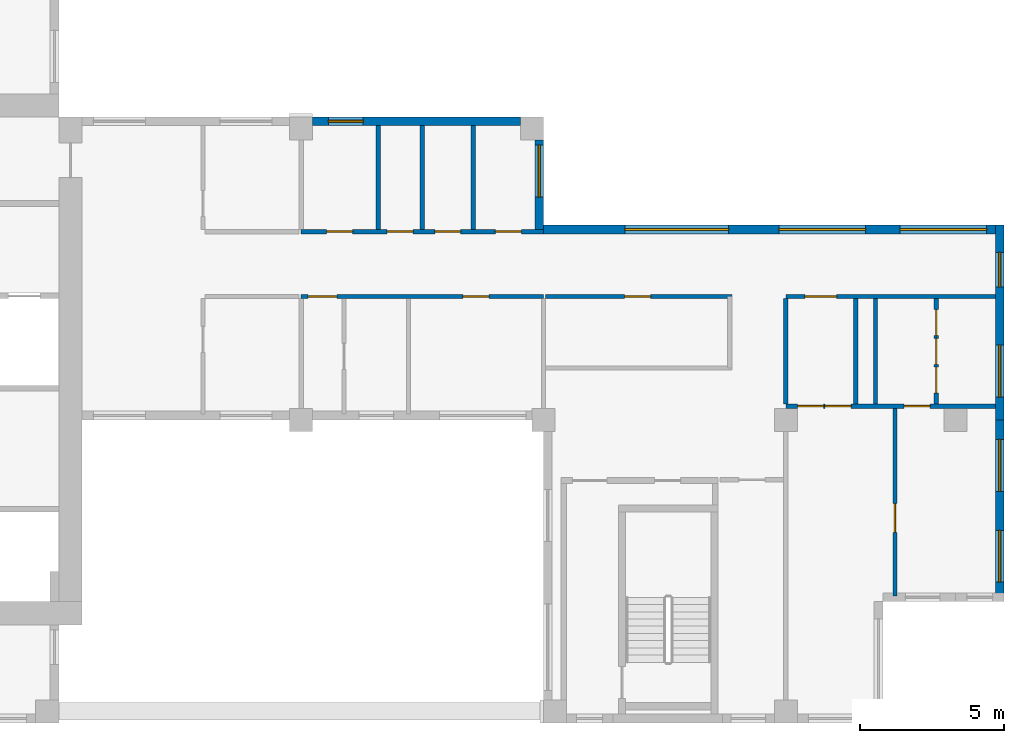
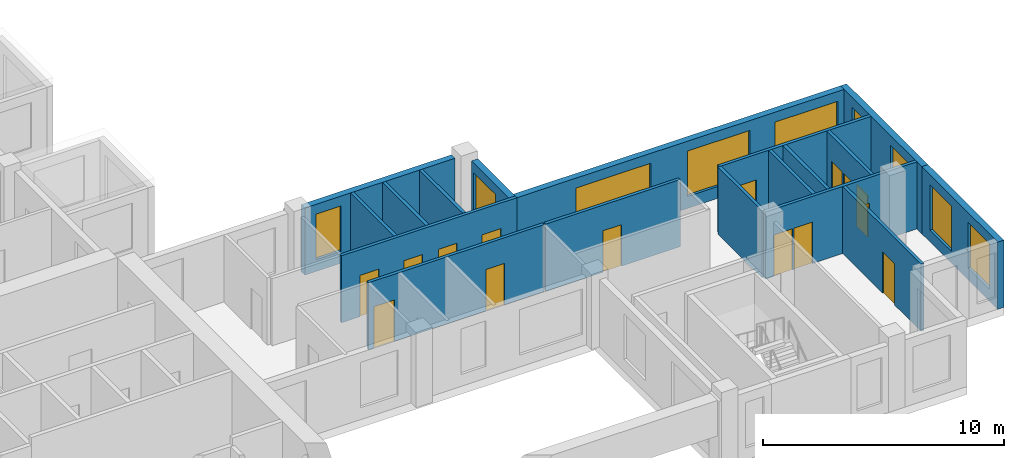
# One storey, part 5 of 11: 18 walls, 15 doors, 9 windows, 24 openings.
"""IFC4 building model written with IfcOpenShell, lengths in metres."""

from ifc_helpers import new_model, si_unit, direction, frame, frame_2d, origin, place, context, subcontext, project, spatial, rectangle, extrude, source, transform, mapped, material, layer, layer_set, type_object, element, fill, save


model = new_model("IFC4")

# Units and contexts
model_context = context("Model", 3, precision=1e-05, world=origin(), true_north=direction((0.0, 1.0)))
body_context = subcontext(model_context, "Body", "Model", "MODEL_VIEW")
ifc_project = project(units=[si_unit("LENGTHUNIT", "METRE"), si_unit("AREAUNIT", "SQUARE_METRE"), si_unit("VOLUMEUNIT", "CUBIC_METRE"), si_unit("PLANEANGLEUNIT", "RADIAN"), si_unit("MASSUNIT", "GRAM", prefix="KILO")], contexts=[model_context])

# Site, building, storey
site_placement = place(None, origin())
site = spatial("IfcSite", under=ifc_project, at=site_placement, CompositionType="ELEMENT")
building_placement = place(site_placement, origin())
building = spatial("IfcBuilding", under=site, at=building_placement, Name="Aurelian Terraces", CompositionType="ELEMENT")
storey_placement = place(building_placement, frame((0.0, 0.0, 261.4)))
storey = spatial("IfcBuildingStorey", under=building, at=storey_placement, Name="L60", CompositionType="ELEMENT", Elevation=261.4)

# Wall, openings, windows
ifc_material_1 = material(Name="Terracotta rainscreen cladding", Category="masonry")
ifc_layer_1 = layer(ifc_material_1, 0.3)
ifc_layer_set_1 = layer_set([ifc_layer_1], Name="EW-300")
wall_type_1 = type_object("IfcWallType", Name="EW-300", PredefinedType="STANDARD", material=ifc_layer_set_1)
shared_shape_1 = source(origin(), body_context, "Body", "SweptSolid", [
    extrude(rectangle(XDim=6.3, YDim=0.3, at=frame_2d((3.15, 0.0))), origin(), (0.0, 0.0, 1.0), 3.4),
])
wall_1_placement = place(storey_placement, frame((53.61, 4.2, 0.0), z_axis=(0.0, 0.0, 1.0), x_axis=(0.0, 1.0, 0.0)))
wall_1 = element("IfcWall", 1, at=wall_1_placement, inside=storey, type_object=wall_type_1, Name="External wall L60 F08.14", PredefinedType="STANDARD", context=body_context, shape_type="MappedRepresentation", body=[
    mapped(shared_shape_1, transform((0.0, 0.0, 0.0), scale=1.0)),
])
shared_shape_2 = source(origin(), body_context, "Body", "SweptSolid", [
    extrude(rectangle(XDim=1.8, YDim=2.3, at=frame_2d((0.9, 1.15))), frame((0.0, 0.16, 0.0), z_axis=(0.0, -1.0, 0.0), x_axis=(1.0, 0.0, 0.0)), (0.0, 0.0, 1.0), 0.32),
])
opening_1_placement = place(wall_1_placement, frame((0.675, 0.0, 0.6)))
opening_1 = element("IfcOpeningElement", 2, at=opening_1_placement, cuts=wall_1, Name="Opening W1823", PredefinedType="OPENING", context=body_context, shape_type="MappedRepresentation", body=[
    mapped(shared_shape_2, transform((0.0, 0.0, 0.0), scale=1.0)),
])
opening_2_placement = place(wall_1_placement, frame((3.825, 0.0, 0.6)))
opening_2 = element("IfcOpeningElement", 3, at=opening_2_placement, cuts=wall_1, Name="Opening W1823", PredefinedType="OPENING", context=body_context, shape_type="MappedRepresentation", body=[
    mapped(shared_shape_2, transform((0.0, 0.0, 0.0), scale=1.0)),
])
ifc_material_2 = material(Name="Clear glazing", Category="glass")
window_type_1 = type_object("IfcWindowType", Name="W-1800x2300", PartitioningType="SINGLE_PANEL", PredefinedType="WINDOW", material=ifc_material_2)
shared_shape_3 = source(origin(), body_context, "Body", "SweptSolid", [
    extrude(rectangle(XDim=1.8, YDim=2.3, at=frame_2d((0.9, 1.15))), frame((0.0, 0.03, 0.0), z_axis=(0.0, -1.0, 0.0), x_axis=(1.0, 0.0, 0.0)), (0.0, 0.0, 1.0), 0.06),
])
window_1_placement = place(opening_1_placement, origin())
window_1 = element("IfcWindow", 4, at=window_1_placement, inside=storey, type_object=window_type_1, Name="Window L60 L60-F08-14-0", OverallHeight=2.3, OverallWidth=1.8, PartitioningType="SINGLE_PANEL", PredefinedType="WINDOW", context=body_context, shape_type="MappedRepresentation", body=[
    mapped(shared_shape_3, transform((0.0, 0.0, 0.0), scale=1.0)),
])
fill(opening_1, window_1)
window_2_placement = place(opening_2_placement, origin())
window_2 = element("IfcWindow", 5, at=window_2_placement, inside=storey, type_object=window_type_1, Name="Window L60 L60-F08-14-1", OverallHeight=2.3, OverallWidth=1.8, PartitioningType="SINGLE_PANEL", PredefinedType="WINDOW", context=body_context, shape_type="MappedRepresentation", body=[
    mapped(shared_shape_3, transform((0.0, 0.0, 0.0), scale=1.0)),
])
fill(opening_2, window_2)

shared_shape_4 = source(origin(), body_context, "Body", "SweptSolid", [
    extrude(rectangle(XDim=6.75, YDim=0.3, at=frame_2d((3.375, 0.0))), origin(), (0.0, 0.0, 1.0), 3.4),
])
wall_2_placement = place(storey_placement, frame((53.61, 10.5, 0.0), z_axis=(0.0, 0.0, 1.0), x_axis=(0.0, 1.0, 0.0)))
wall_2 = element("IfcWall", 6, at=wall_2_placement, inside=storey, type_object=wall_type_1, Name="External wall L60 F08.15", PredefinedType="STANDARD", context=body_context, shape_type="MappedRepresentation", body=[
    mapped(shared_shape_4, transform((0.0, 0.0, 0.0), scale=1.0)),
])
opening_3_placement = place(wall_2_placement, frame((0.7875, 0.0, 0.6)))
opening_3 = element("IfcOpeningElement", 7, at=opening_3_placement, cuts=wall_2, Name="Opening W1823", PredefinedType="OPENING", context=body_context, shape_type="MappedRepresentation", body=[
    mapped(shared_shape_2, transform((0.0, 0.0, 0.0), scale=1.0)),
])
shared_shape_5 = source(origin(), body_context, "Body", "SweptSolid", [
    extrude(rectangle(XDim=1.2, YDim=2.3, at=frame_2d((0.6, 1.15))), frame((0.0, 0.16, 0.0), z_axis=(0.0, -1.0, 0.0), x_axis=(1.0, 0.0, 0.0)), (0.0, 0.0, 1.0), 0.32),
])
opening_4_placement = place(wall_2_placement, frame((4.6063, 0.0, 0.6)))
opening_4 = element("IfcOpeningElement", 8, at=opening_4_placement, cuts=wall_2, Name="Opening W1223", PredefinedType="OPENING", context=body_context, shape_type="MappedRepresentation", body=[
    mapped(shared_shape_5, transform((0.0, 0.0, 0.0), scale=1.0)),
])
window_type_2 = type_object("IfcWindowType", Name="W-1200x2300", PartitioningType="SINGLE_PANEL", PredefinedType="WINDOW", material=ifc_material_2)
shared_shape_6 = source(origin(), body_context, "Body", "SweptSolid", [
    extrude(rectangle(XDim=1.2, YDim=2.3, at=frame_2d((0.6, 1.15))), frame((0.0, 0.03, 0.0), z_axis=(0.0, -1.0, 0.0), x_axis=(1.0, 0.0, 0.0)), (0.0, 0.0, 1.0), 0.06),
])
window_3_placement = place(opening_4_placement, origin())
window_3 = element("IfcWindow", 9, at=window_3_placement, inside=storey, type_object=window_type_2, Name="Window L60 L60-F08-15-1", OverallHeight=2.3, OverallWidth=1.2, PartitioningType="SINGLE_PANEL", PredefinedType="WINDOW", context=body_context, shape_type="MappedRepresentation", body=[
    mapped(shared_shape_6, transform((0.0, 0.0, 0.0), scale=1.0)),
])
fill(opening_4, window_3)
window_4_placement = place(opening_3_placement, origin())
window_4 = element("IfcWindow", 10, at=window_4_placement, inside=storey, type_object=window_type_1, Name="Window L60 L60-F08-15-0", OverallHeight=2.3, OverallWidth=1.8, PartitioningType="SINGLE_PANEL", PredefinedType="WINDOW", context=body_context, shape_type="MappedRepresentation", body=[
    mapped(shared_shape_3, transform((0.0, 0.0, 0.0), scale=1.0)),
])
fill(opening_3, window_4)

shared_shape_7 = source(origin(), body_context, "Body", "SweptSolid", [
    extrude(rectangle(XDim=15.96, YDim=0.3, at=frame_2d((7.98, 0.0))), origin(), (0.0, 0.0, 1.0), 3.4),
])
wall_3_placement = place(storey_placement, frame((53.76, 17.1, 0.0), z_axis=(0.0, 0.0, 1.0), x_axis=(-1.0, 0.0, 0.0)))
wall_3 = element("IfcWall", 11, at=wall_3_placement, inside=storey, type_object=wall_type_1, Name="External wall L60 F09.16", PredefinedType="STANDARD", context=body_context, shape_type="MappedRepresentation", body=[
    mapped(shared_shape_7, transform((0.0, 0.0, 0.0), scale=1.0)),
])
shared_shape_8 = source(origin(), body_context, "Body", "SweptSolid", [
    extrude(rectangle(XDim=3.0, YDim=2.3, at=frame_2d((1.5, 1.15))), frame((0.0, 0.16, 0.0), z_axis=(0.0, -1.0, 0.0), x_axis=(1.0, 0.0, 0.0)), (0.0, 0.0, 1.0), 0.32),
])
opening_5_placement = place(wall_3_placement, frame((0.6, 0.0, 0.6)))
opening_5 = element("IfcOpeningElement", 12, at=opening_5_placement, cuts=wall_3, Name="Opening W3023", PredefinedType="OPENING", context=body_context, shape_type="MappedRepresentation", body=[
    mapped(shared_shape_8, transform((0.0, 0.0, 0.0), scale=1.0)),
])
opening_6_placement = place(wall_3_placement, frame((4.8, 0.0, 0.6)))
opening_6 = element("IfcOpeningElement", 13, at=opening_6_placement, cuts=wall_3, Name="Opening W3023", PredefinedType="OPENING", context=body_context, shape_type="MappedRepresentation", body=[
    mapped(shared_shape_8, transform((0.0, 0.0, 0.0), scale=1.0)),
])
shared_shape_9 = source(origin(), body_context, "Body", "SweptSolid", [
    extrude(rectangle(XDim=3.6, YDim=2.3, at=frame_2d((1.8, 1.15))), frame((0.0, 0.16, 0.0), z_axis=(0.0, -1.0, 0.0), x_axis=(1.0, 0.0, 0.0)), (0.0, 0.0, 1.0), 0.32),
])
opening_7_placement = place(wall_3_placement, frame((9.54, 0.0, 0.6)))
opening_7 = element("IfcOpeningElement", 14, at=opening_7_placement, cuts=wall_3, Name="Opening W3623", PredefinedType="OPENING", context=body_context, shape_type="MappedRepresentation", body=[
    mapped(shared_shape_9, transform((0.0, 0.0, 0.0), scale=1.0)),
])
window_type_3 = type_object("IfcWindowType", Name="W-3600x2300", PartitioningType="SINGLE_PANEL", PredefinedType="WINDOW", material=ifc_material_2)
shared_shape_10 = source(origin(), body_context, "Body", "SweptSolid", [
    extrude(rectangle(XDim=3.6, YDim=2.3, at=frame_2d((1.8, 1.15))), frame((0.0, 0.03, 0.0), z_axis=(0.0, -1.0, 0.0), x_axis=(1.0, 0.0, 0.0)), (0.0, 0.0, 1.0), 0.06),
])
window_5_placement = place(opening_7_placement, origin())
window_5 = element("IfcWindow", 15, at=window_5_placement, inside=storey, type_object=window_type_3, Name="Window L60 L60-F09-16-2", OverallHeight=2.3, OverallWidth=3.6, PartitioningType="SINGLE_PANEL", PredefinedType="WINDOW", context=body_context, shape_type="MappedRepresentation", body=[
    mapped(shared_shape_10, transform((0.0, 0.0, 0.0), scale=1.0)),
])
fill(opening_7, window_5)
window_type_4 = type_object("IfcWindowType", Name="W-3000x2300", PartitioningType="SINGLE_PANEL", PredefinedType="WINDOW", material=ifc_material_2)
shared_shape_11 = source(origin(), body_context, "Body", "SweptSolid", [
    extrude(rectangle(XDim=3.0, YDim=2.3, at=frame_2d((1.5, 1.15))), frame((0.0, 0.03, 0.0), z_axis=(0.0, -1.0, 0.0), x_axis=(1.0, 0.0, 0.0)), (0.0, 0.0, 1.0), 0.06),
])
window_6_placement = place(opening_5_placement, origin())
window_6 = element("IfcWindow", 16, at=window_6_placement, inside=storey, type_object=window_type_4, Name="Window L60 L60-F09-16-0", OverallHeight=2.3, OverallWidth=3.0, PartitioningType="SINGLE_PANEL", PredefinedType="WINDOW", context=body_context, shape_type="MappedRepresentation", body=[
    mapped(shared_shape_11, transform((0.0, 0.0, 0.0), scale=1.0)),
])
fill(opening_5, window_6)
window_7_placement = place(opening_6_placement, origin())
window_7 = element("IfcWindow", 17, at=window_7_placement, inside=storey, type_object=window_type_4, Name="Window L60 L60-F09-16-1", OverallHeight=2.3, OverallWidth=3.0, PartitioningType="SINGLE_PANEL", PredefinedType="WINDOW", context=body_context, shape_type="MappedRepresentation", body=[
    mapped(shared_shape_11, transform((0.0, 0.0, 0.0), scale=1.0)),
])
fill(opening_6, window_7)

# Wall, opening, window
shared_shape_12 = source(origin(), body_context, "Body", "SweptSolid", [
    extrude(rectangle(XDim=7.2, YDim=0.3, at=frame_2d((3.6, 0.0))), origin(), (0.0, 0.0, 1.0), 3.4),
])
wall_4_placement = place(storey_placement, frame((37.0, 20.85, 0.0), z_axis=(0.0, 0.0, 1.0), x_axis=(-1.0, 0.0, 0.0)))
wall_4 = element("IfcWall", 18, at=wall_4_placement, inside=storey, type_object=wall_type_1, Name="External wall L60 F11.18", PredefinedType="STANDARD", context=body_context, shape_type="MappedRepresentation", body=[
    mapped(shared_shape_12, transform((0.0, 0.0, 0.0), scale=1.0)),
])
opening_8_placement = place(wall_4_placement, frame((5.454, 0.0, 0.6)))
opening_8 = element("IfcOpeningElement", 19, at=opening_8_placement, cuts=wall_4, Name="Opening W1223", PredefinedType="OPENING", context=body_context, shape_type="MappedRepresentation", body=[
    mapped(shared_shape_5, transform((0.0, 0.0, 0.0), scale=1.0)),
])
window_8_placement = place(opening_8_placement, origin())
window_8 = element("IfcWindow", 20, at=window_8_placement, inside=storey, type_object=window_type_2, Name="Window L60 L60-F11-18-1", OverallHeight=2.3, OverallWidth=1.2, PartitioningType="SINGLE_PANEL", PredefinedType="WINDOW", context=body_context, shape_type="MappedRepresentation", body=[
    mapped(shared_shape_6, transform((0.0, 0.0, 0.0), scale=1.0)),
])
fill(opening_8, window_8)

shared_shape_13 = source(origin(), body_context, "Body", "SweptSolid", [
    extrude(rectangle(XDim=3.1, YDim=0.3, at=frame_2d((1.55, 0.0))), origin(), (0.0, 0.0, 1.0), 3.4),
])
wall_5_placement = place(storey_placement, frame((37.65, 17.1, 0.0), z_axis=(0.0, 0.0, 1.0), x_axis=(0.0, 1.0, 0.0)))
wall_5 = element("IfcWall", 21, at=wall_5_placement, inside=storey, type_object=wall_type_1, Name="External wall L60 F10.17", PredefinedType="STANDARD", context=body_context, shape_type="MappedRepresentation", body=[
    mapped(shared_shape_13, transform((0.0, 0.0, 0.0), scale=1.0)),
])
opening_9_placement = place(wall_5_placement, frame((1.125, 0.0, 0.6)))
opening_9 = element("IfcOpeningElement", 22, at=opening_9_placement, cuts=wall_5, Name="Opening W1823", PredefinedType="OPENING", context=body_context, shape_type="MappedRepresentation", body=[
    mapped(shared_shape_2, transform((0.0, 0.0, 0.0), scale=1.0)),
])
window_9_placement = place(opening_9_placement, origin())
window_9 = element("IfcWindow", 23, at=window_9_placement, inside=storey, type_object=window_type_1, Name="Window L60 L60-F10-17-0", OverallHeight=2.3, OverallWidth=1.8, PartitioningType="SINGLE_PANEL", PredefinedType="WINDOW", context=body_context, shape_type="MappedRepresentation", body=[
    mapped(shared_shape_3, transform((0.0, 0.0, 0.0), scale=1.0)),
])
fill(opening_9, window_9)

# Wall, opening, door
ifc_material_3 = material(Name="Gypsum board on steel studs", Category="steel")
ifc_layer_2 = layer(ifc_material_3, 0.15)
ifc_layer_set_2 = layer_set([ifc_layer_2], Name="Fire partition 150")
wall_type_2 = type_object("IfcWallType", Name="Fire partition 150", PredefinedType="PARTITIONING", material=ifc_layer_set_2)
shared_shape_14 = source(origin(), body_context, "Body", "SweptSolid", [
    extrude(rectangle(XDim=6.45, YDim=0.15, at=frame_2d((3.225, 0.0))), origin(), (0.0, 0.0, 1.0), 3.4),
])
wall_6_placement = place(storey_placement, frame((44.325, 14.775, 0.0), z_axis=(0.0, 0.0, 1.0), x_axis=(-1.0, 0.0, 0.0)))
wall_6 = element("IfcWall", 24, at=wall_6_placement, inside=storey, type_object=wall_type_2, Name="Corridor wall", PredefinedType="PARTITIONING", context=body_context, shape_type="MappedRepresentation", body=[
    mapped(shared_shape_14, transform((0.0, 0.0, 0.0), scale=1.0)),
])
shared_shape_15 = source(origin(), body_context, "Body", "SweptSolid", [
    extrude(rectangle(XDim=0.9, YDim=2.1, at=frame_2d((0.45, 1.05))), frame((0.0, 0.085, 0.0), z_axis=(0.0, -1.0, 0.0), x_axis=(1.0, 0.0, 0.0)), (0.0, 0.0, 1.0), 0.17),
])
opening_10_placement = place(wall_6_placement, frame((2.8125, 0.0, 0.0)))
opening_10 = element("IfcOpeningElement", 25, at=opening_10_placement, cuts=wall_6, Name="Opening 760003", PredefinedType="OPENING", context=body_context, shape_type="MappedRepresentation", body=[
    mapped(shared_shape_15, transform((0.0, 0.0, 0.0), scale=1.0)),
])
ifc_material_4 = material(Name="Timber door leaf", Category="wood")
door_type_1 = type_object("IfcDoorType", Name="Room door 900x2100 left", OperationType="SINGLE_SWING_LEFT", PredefinedType="DOOR", material=ifc_material_4)
shared_shape_16 = source(origin(), body_context, "Body", "SweptSolid", [
    extrude(rectangle(XDim=0.9, YDim=2.1, at=frame_2d((0.45, 1.05))), frame((0.0, 0.025, 0.0), z_axis=(0.0, -1.0, 0.0), x_axis=(1.0, 0.0, 0.0)), (0.0, 0.0, 1.0), 0.05),
])
door_1_placement = place(opening_10_placement, origin())
door_1 = element("IfcDoor", 26, at=door_1_placement, inside=storey, type_object=door_type_1, Name="Door 760003", OperationType="SINGLE_SWING_LEFT", OverallHeight=2.1, OverallWidth=0.9, PredefinedType="DOOR", context=body_context, shape_type="MappedRepresentation", body=[
    mapped(shared_shape_16, transform((0.0, 0.0, 0.0), scale=1.0)),
])
fill(opening_10, door_1)

# Walls
ifc_layer_3 = layer(ifc_material_3, 0.15)
ifc_layer_set_3 = layer_set([ifc_layer_3], Name="Partition 150")
wall_type_3 = type_object("IfcWallType", Name="Partition 150", PredefinedType="PARTITIONING", material=ifc_layer_set_3)
shared_shape_17 = source(origin(), body_context, "Body", "SweptSolid", [
    extrude(rectangle(XDim=3.6, YDim=0.15, at=frame_2d((1.8, 0.0))), origin(), (0.0, 0.0, 1.0), 3.4),
])
for number, where, z_axis, x_axis, name in (
    (27, (32.067, 20.7, 0.0), (0.0, 0.0, 1.0), (0.0, -1.0, 0.0), "Partition"),
    (28, (35.3634, 20.7, 0.0), (0.0, 0.0, 1.0), (0.0, -1.0, 0.0), "Partition"),
):
    element("IfcWall", number, at=place(storey_placement, frame(where, z_axis=z_axis, x_axis=x_axis)), inside=storey, type_object=wall_type_3, Name=name, PredefinedType="PARTITIONING", context=body_context, shape_type="MappedRepresentation", body=[
        mapped(shared_shape_17, transform((0.0, 0.0, 0.0), scale=1.0)),
    ])
wall_7_placement = place(storey_placement, frame((33.6, 17.1, 0.0), z_axis=(0.0, 0.0, 1.0), x_axis=(0.0, 1.0, 0.0)))
element("IfcWall", 29, at=wall_7_placement, inside=storey, type_object=wall_type_2, Name="Party wall", PredefinedType="PARTITIONING", context=body_context, shape_type="MappedRepresentation", body=[
    mapped(shared_shape_17, transform((0.0, 0.0, 0.0), scale=1.0)),
])

# Wall, openings, doors
shared_shape_18 = source(origin(), body_context, "Body", "SweptSolid", [
    extrude(rectangle(XDim=8.4, YDim=0.15, at=frame_2d((4.2, 0.0))), origin(), (0.0, 0.0, 1.0), 3.4),
])
wall_8_placement = place(storey_placement, frame((37.8, 14.775, 0.0), z_axis=(0.0, 0.0, 1.0), x_axis=(-1.0, 0.0, 0.0)))
wall_8 = element("IfcWall", 30, at=wall_8_placement, inside=storey, type_object=wall_type_2, Name="Corridor wall", PredefinedType="PARTITIONING", context=body_context, shape_type="MappedRepresentation", body=[
    mapped(shared_shape_18, transform((0.0, 0.0, 0.0), scale=1.0)),
])
shared_shape_19 = source(origin(), body_context, "Body", "SweptSolid", [
    extrude(rectangle(XDim=1.0, YDim=2.1, at=frame_2d((0.5, 1.05))), frame((0.0, 0.085, 0.0), z_axis=(0.0, -1.0, 0.0), x_axis=(1.0, 0.0, 0.0)), (0.0, 0.0, 1.0), 0.17),
])
opening_11_placement = place(wall_8_placement, frame((7.1574, 0.0, 0.0)))
opening_11 = element("IfcOpeningElement", 31, at=opening_11_placement, cuts=wall_8, Name="Opening 760005", PredefinedType="OPENING", context=body_context, shape_type="MappedRepresentation", body=[
    mapped(shared_shape_19, transform((0.0, 0.0, 0.0), scale=1.0)),
])
opening_12_placement = place(wall_8_placement, frame((1.8909, 0.0, 0.0)))
opening_12 = element("IfcOpeningElement", 32, at=opening_12_placement, cuts=wall_8, Name="Opening 760006", PredefinedType="OPENING", context=body_context, shape_type="MappedRepresentation", body=[
    mapped(shared_shape_15, transform((0.0, 0.0, 0.0), scale=1.0)),
])
ifc_material_5 = material(Name="Steel door leaf", Category="steel")
door_type_2 = type_object("IfcDoorType", Name="Entrance fire door 1000x2100 right", OperationType="SINGLE_SWING_RIGHT", PredefinedType="DOOR", material=ifc_material_5)
shared_shape_20 = source(origin(), body_context, "Body", "SweptSolid", [
    extrude(rectangle(XDim=1.0, YDim=2.1, at=frame_2d((0.5, 1.05))), frame((0.0, 0.025, 0.0), z_axis=(0.0, -1.0, 0.0), x_axis=(1.0, 0.0, 0.0)), (0.0, 0.0, 1.0), 0.05),
])
door_2_placement = place(opening_11_placement, origin())
door_2 = element("IfcDoor", 33, at=door_2_placement, inside=storey, type_object=door_type_2, Name="Door 760005", OperationType="SINGLE_SWING_RIGHT", OverallHeight=2.1, OverallWidth=1.0, PredefinedType="DOOR", context=body_context, shape_type="MappedRepresentation", body=[
    mapped(shared_shape_20, transform((0.0, 0.0, 0.0), scale=1.0)),
])
fill(opening_11, door_2)
door_type_3 = type_object("IfcDoorType", Name="Entrance fire door 900x2100 left", OperationType="SINGLE_SWING_LEFT", PredefinedType="DOOR", material=ifc_material_5)
door_3_placement = place(opening_12_placement, origin())
door_3 = element("IfcDoor", 34, at=door_3_placement, inside=storey, type_object=door_type_3, Name="Door 760006", OperationType="SINGLE_SWING_LEFT", OverallHeight=2.1, OverallWidth=0.9, PredefinedType="DOOR", context=body_context, shape_type="MappedRepresentation", body=[
    mapped(shared_shape_16, transform((0.0, 0.0, 0.0), scale=1.0)),
])
fill(opening_12, door_3)

wall_9_placement = place(storey_placement, frame((29.4, 17.025, 0.0), z_axis=(0.0, 0.0, 1.0), x_axis=(1.0, 0.0, 0.0)))
wall_9 = element("IfcWall", 35, at=wall_9_placement, inside=storey, type_object=wall_type_2, Name="Corridor wall", PredefinedType="PARTITIONING", context=body_context, shape_type="MappedRepresentation", body=[
    mapped(shared_shape_18, transform((0.0, 0.0, 0.0), scale=1.0)),
])
opening_13_placement = place(wall_9_placement, frame((0.8835, 0.0, 0.0)))
opening_13 = element("IfcOpeningElement", 36, at=opening_13_placement, cuts=wall_9, Name="Opening 760012", PredefinedType="OPENING", context=body_context, shape_type="MappedRepresentation", body=[
    mapped(shared_shape_15, transform((0.0, 0.0, 0.0), scale=1.0)),
])
opening_14_placement = place(wall_9_placement, frame((2.9835, 0.0, 0.0)))
opening_14 = element("IfcOpeningElement", 37, at=opening_14_placement, cuts=wall_9, Name="Opening 760013", PredefinedType="OPENING", context=body_context, shape_type="MappedRepresentation", body=[
    mapped(shared_shape_15, transform((0.0, 0.0, 0.0), scale=1.0)),
])
opening_15_placement = place(wall_9_placement, frame((4.6317, 0.0, 0.0)))
opening_15 = element("IfcOpeningElement", 38, at=opening_15_placement, cuts=wall_9, Name="Opening 760014", PredefinedType="OPENING", context=body_context, shape_type="MappedRepresentation", body=[
    mapped(shared_shape_15, transform((0.0, 0.0, 0.0), scale=1.0)),
])
opening_16_placement = place(wall_9_placement, frame((6.7317, 0.0, 0.0)))
opening_16 = element("IfcOpeningElement", 39, at=opening_16_placement, cuts=wall_9, Name="Opening 760015", PredefinedType="OPENING", context=body_context, shape_type="MappedRepresentation", body=[
    mapped(shared_shape_15, transform((0.0, 0.0, 0.0), scale=1.0)),
])
door_type_4 = type_object("IfcDoorType", Name="Entrance fire door 900x2100 right", OperationType="SINGLE_SWING_RIGHT", PredefinedType="DOOR", material=ifc_material_5)
door_4_placement = place(opening_13_placement, origin())
door_4 = element("IfcDoor", 40, at=door_4_placement, inside=storey, type_object=door_type_4, Name="Door 760012", OperationType="SINGLE_SWING_RIGHT", OverallHeight=2.1, OverallWidth=0.9, PredefinedType="DOOR", context=body_context, shape_type="MappedRepresentation", body=[
    mapped(shared_shape_16, transform((0.0, 0.0, 0.0), scale=1.0)),
])
fill(opening_13, door_4)
door_5_placement = place(opening_14_placement, origin())
door_5 = element("IfcDoor", 41, at=door_5_placement, inside=storey, type_object=door_type_3, Name="Door 760013", OperationType="SINGLE_SWING_LEFT", OverallHeight=2.1, OverallWidth=0.9, PredefinedType="DOOR", context=body_context, shape_type="MappedRepresentation", body=[
    mapped(shared_shape_16, transform((0.0, 0.0, 0.0), scale=1.0)),
])
fill(opening_14, door_5)
door_6_placement = place(opening_15_placement, origin())
door_6 = element("IfcDoor", 42, at=door_6_placement, inside=storey, type_object=door_type_4, Name="Door 760014", OperationType="SINGLE_SWING_RIGHT", OverallHeight=2.1, OverallWidth=0.9, PredefinedType="DOOR", context=body_context, shape_type="MappedRepresentation", body=[
    mapped(shared_shape_16, transform((0.0, 0.0, 0.0), scale=1.0)),
])
fill(opening_15, door_6)
door_7_placement = place(opening_16_placement, origin())
door_7 = element("IfcDoor", 43, at=door_7_placement, inside=storey, type_object=door_type_3, Name="Door 760015", OperationType="SINGLE_SWING_LEFT", OverallHeight=2.1, OverallWidth=0.9, PredefinedType="DOOR", context=body_context, shape_type="MappedRepresentation", body=[
    mapped(shared_shape_16, transform((0.0, 0.0, 0.0), scale=1.0)),
])
fill(opening_16, door_7)

shared_shape_21 = source(origin(), body_context, "Body", "SweptSolid", [
    extrude(rectangle(XDim=7.26, YDim=0.15, at=frame_2d((3.63, 0.0))), origin(), (0.0, 0.0, 1.0), 3.4),
])
wall_10_placement = place(storey_placement, frame((53.46, 10.975, 0.0), z_axis=(0.0, 0.0, 1.0), x_axis=(-1.0, 0.0, 0.0)))
wall_10 = element("IfcWall", 44, at=wall_10_placement, inside=storey, type_object=wall_type_3, Name="Partition", PredefinedType="PARTITIONING", context=body_context, shape_type="MappedRepresentation", body=[
    mapped(shared_shape_21, transform((0.0, 0.0, 0.0), scale=1.0)),
])
opening_17_placement = place(wall_10_placement, frame((4.999, 0.0, 0.0)))
opening_17 = element("IfcOpeningElement", 45, at=opening_17_placement, cuts=wall_10, Name="Opening 760008", PredefinedType="OPENING", context=body_context, shape_type="MappedRepresentation", body=[
    mapped(shared_shape_15, transform((0.0, 0.0, 0.0), scale=1.0)),
])
opening_18_placement = place(wall_10_placement, frame((5.95, 0.0, 0.0)))
opening_18 = element("IfcOpeningElement", 46, at=opening_18_placement, cuts=wall_10, Name="Opening 760009", PredefinedType="OPENING", context=body_context, shape_type="MappedRepresentation", body=[
    mapped(shared_shape_15, transform((0.0, 0.0, 0.0), scale=1.0)),
])
opening_19_placement = place(wall_10_placement, frame((2.2639, 0.0, 0.0)))
opening_19 = element("IfcOpeningElement", 47, at=opening_19_placement, cuts=wall_10, Name="Opening 760010", PredefinedType="OPENING", context=body_context, shape_type="MappedRepresentation", body=[
    mapped(shared_shape_15, transform((0.0, 0.0, 0.0), scale=1.0)),
])
door_8_placement = place(opening_17_placement, origin())
door_8 = element("IfcDoor", 48, at=door_8_placement, inside=storey, type_object=door_type_1, Name="Door 760008", OperationType="SINGLE_SWING_LEFT", OverallHeight=2.1, OverallWidth=0.9, PredefinedType="DOOR", context=body_context, shape_type="MappedRepresentation", body=[
    mapped(shared_shape_16, transform((0.0, 0.0, 0.0), scale=1.0)),
])
fill(opening_17, door_8)
door_type_5 = type_object("IfcDoorType", Name="Room door 900x2100 right", OperationType="SINGLE_SWING_RIGHT", PredefinedType="DOOR", material=ifc_material_4)
door_9_placement = place(opening_18_placement, origin())
door_9 = element("IfcDoor", 49, at=door_9_placement, inside=storey, type_object=door_type_5, Name="Door 760009", OperationType="SINGLE_SWING_RIGHT", OverallHeight=2.1, OverallWidth=0.9, PredefinedType="DOOR", context=body_context, shape_type="MappedRepresentation", body=[
    mapped(shared_shape_16, transform((0.0, 0.0, 0.0), scale=1.0)),
])
fill(opening_18, door_9)
door_10_placement = place(opening_19_placement, origin())
door_10 = element("IfcDoor", 50, at=door_10_placement, inside=storey, type_object=door_type_1, Name="Door 760010", OperationType="SINGLE_SWING_LEFT", OverallHeight=2.1, OverallWidth=0.9, PredefinedType="DOOR", context=body_context, shape_type="MappedRepresentation", body=[
    mapped(shared_shape_16, transform((0.0, 0.0, 0.0), scale=1.0)),
])
fill(opening_19, door_10)

# Wall, opening, door
wall_11_placement = place(storey_placement, frame((53.46, 14.775, 0.0), z_axis=(0.0, 0.0, 1.0), x_axis=(-1.0, 0.0, 0.0)))
wall_11 = element("IfcWall", 51, at=wall_11_placement, inside=storey, type_object=wall_type_2, Name="Corridor wall", PredefinedType="PARTITIONING", context=body_context, shape_type="MappedRepresentation", body=[
    mapped(shared_shape_21, transform((0.0, 0.0, 0.0), scale=1.0)),
])
shared_shape_22 = source(origin(), body_context, "Body", "SweptSolid", [
    extrude(rectangle(XDim=1.1, YDim=2.1, at=frame_2d((0.55, 1.05))), frame((0.0, 0.085, 0.0), z_axis=(0.0, -1.0, 0.0), x_axis=(1.0, 0.0, 0.0)), (0.0, 0.0, 1.0), 0.17),
])
opening_20_placement = place(wall_11_placement, frame((5.5018, 0.0, 0.0)))
opening_20 = element("IfcOpeningElement", 52, at=opening_20_placement, cuts=wall_11, Name="Opening 760007", PredefinedType="OPENING", context=body_context, shape_type="MappedRepresentation", body=[
    mapped(shared_shape_22, transform((0.0, 0.0, 0.0), scale=1.0)),
])
door_type_6 = type_object("IfcDoorType", Name="Entrance fire door 1100x2100 right", OperationType="SINGLE_SWING_RIGHT", PredefinedType="DOOR", material=ifc_material_5)
shared_shape_23 = source(origin(), body_context, "Body", "SweptSolid", [
    extrude(rectangle(XDim=1.1, YDim=2.1, at=frame_2d((0.55, 1.05))), frame((0.0, 0.025, 0.0), z_axis=(0.0, -1.0, 0.0), x_axis=(1.0, 0.0, 0.0)), (0.0, 0.0, 1.0), 0.05),
])
door_11_placement = place(opening_20_placement, origin())
door_11 = element("IfcDoor", 53, at=door_11_placement, inside=storey, type_object=door_type_6, Name="Door 760007", OperationType="SINGLE_SWING_RIGHT", OverallHeight=2.1, OverallWidth=1.1, PredefinedType="DOOR", context=body_context, shape_type="MappedRepresentation", body=[
    mapped(shared_shape_23, transform((0.0, 0.0, 0.0), scale=1.0)),
])
fill(opening_20, door_11)

# Walls
shared_shape_24 = source(origin(), body_context, "Body", "SweptSolid", [
    extrude(rectangle(XDim=3.65, YDim=0.15, at=frame_2d((1.825, 0.0))), origin(), (0.0, 0.0, 1.0), 3.4),
])
for number, where, z_axis, x_axis, name in (
    (54, (48.6165, 11.05, 0.0), (0.0, 0.0, 1.0), (0.0, 1.0, 0.0), "Partition"),
    (55, (49.3093, 11.05, 0.0), (0.0, 0.0, 1.0), (0.0, 1.0, 0.0), "Partition"),
):
    element("IfcWall", number, at=place(storey_placement, frame(where, z_axis=z_axis, x_axis=x_axis)), inside=storey, type_object=wall_type_3, Name=name, PredefinedType="PARTITIONING", context=body_context, shape_type="MappedRepresentation", body=[
        mapped(shared_shape_24, transform((0.0, 0.0, 0.0), scale=1.0)),
    ])

# Wall, openings, doors
wall_12_placement = place(storey_placement, frame((51.4123, 11.05, 0.0), z_axis=(0.0, 0.0, 1.0), x_axis=(0.0, 1.0, 0.0)))
wall_12 = element("IfcWall", 56, at=wall_12_placement, inside=storey, type_object=wall_type_3, Name="Partition", PredefinedType="PARTITIONING", context=body_context, shape_type="MappedRepresentation", body=[
    mapped(shared_shape_24, transform((0.0, 0.0, 0.0), scale=1.0)),
])
opening_21_placement = place(wall_12_placement, frame((1.375, 0.0, 0.0)))
opening_21 = element("IfcOpeningElement", 57, at=opening_21_placement, cuts=wall_12, Name="Opening 760034", PredefinedType="OPENING", context=body_context, shape_type="MappedRepresentation", body=[
    mapped(shared_shape_15, transform((0.0, 0.0, 0.0), scale=1.0)),
])
opening_22_placement = place(wall_12_placement, frame((2.375, 0.0, 0.0)))
opening_22 = element("IfcOpeningElement", 58, at=opening_22_placement, cuts=wall_12, Name="Opening 760036", PredefinedType="OPENING", context=body_context, shape_type="MappedRepresentation", body=[
    mapped(shared_shape_15, transform((0.0, 0.0, 0.0), scale=1.0)),
])
opening_23_placement = place(wall_12_placement, frame((0.375, 0.0, 0.0)))
opening_23 = element("IfcOpeningElement", 59, at=opening_23_placement, cuts=wall_12, Name="Opening 760038", PredefinedType="OPENING", context=body_context, shape_type="MappedRepresentation", body=[
    mapped(shared_shape_15, transform((0.0, 0.0, 0.0), scale=1.0)),
])
door_12_placement = place(opening_21_placement, origin())
door_12 = element("IfcDoor", 60, at=door_12_placement, inside=storey, type_object=door_type_1, Name="Door 760034", OperationType="SINGLE_SWING_LEFT", OverallHeight=2.1, OverallWidth=0.9, PredefinedType="DOOR", context=body_context, shape_type="MappedRepresentation", body=[
    mapped(shared_shape_16, transform((0.0, 0.0, 0.0), scale=1.0)),
])
fill(opening_21, door_12)
door_13_placement = place(opening_22_placement, origin())
door_13 = element("IfcDoor", 61, at=door_13_placement, inside=storey, type_object=door_type_3, Name="Door 760036", OperationType="SINGLE_SWING_LEFT", OverallHeight=2.1, OverallWidth=0.9, PredefinedType="DOOR", context=body_context, shape_type="MappedRepresentation", body=[
    mapped(shared_shape_16, transform((0.0, 0.0, 0.0), scale=1.0)),
])
fill(opening_22, door_13)
door_14_placement = place(opening_23_placement, origin())
door_14 = element("IfcDoor", 62, at=door_14_placement, inside=storey, type_object=door_type_3, Name="Door 760038", OperationType="SINGLE_SWING_LEFT", OverallHeight=2.1, OverallWidth=0.9, PredefinedType="DOOR", context=body_context, shape_type="MappedRepresentation", body=[
    mapped(shared_shape_16, transform((0.0, 0.0, 0.0), scale=1.0)),
])
fill(opening_23, door_14)

# Wall
wall_13_placement = place(storey_placement, frame((46.2, 11.05, 0.0), z_axis=(0.0, 0.0, 1.0), x_axis=(0.0, 1.0, 0.0)))
element("IfcWall", 63, at=wall_13_placement, inside=storey, type_object=wall_type_2, Name="Party wall", PredefinedType="PARTITIONING", context=body_context, shape_type="MappedRepresentation", body=[
    mapped(shared_shape_24, transform((0.0, 0.0, 0.0), scale=1.0)),
])

# Wall, opening, door
shared_shape_25 = source(origin(), body_context, "Body", "SweptSolid", [
    extrude(rectangle(XDim=6.495, YDim=0.15, at=frame_2d((3.2475, 0.0))), origin(), (0.0, 0.0, 1.0), 3.4),
])
wall_14_placement = place(storey_placement, frame((49.98, 4.405, 0.0), z_axis=(0.0, 0.0, 1.0), x_axis=(0.0, 1.0, 0.0)))
wall_14 = element("IfcWall", 64, at=wall_14_placement, inside=storey, type_object=wall_type_3, Name="Partition", PredefinedType="PARTITIONING", context=body_context, shape_type="MappedRepresentation", body=[
    mapped(shared_shape_25, transform((0.0, 0.0, 0.0), scale=1.0)),
])
opening_24_placement = place(wall_14_placement, frame((2.195, 0.0, 0.0)))
opening_24 = element("IfcOpeningElement", 65, at=opening_24_placement, cuts=wall_14, Name="Opening 760011", PredefinedType="OPENING", context=body_context, shape_type="MappedRepresentation", body=[
    mapped(shared_shape_19, transform((0.0, 0.0, 0.0), scale=1.0)),
])
door_type_7 = type_object("IfcDoorType", Name="Room door 1000x2100 left", OperationType="SINGLE_SWING_LEFT", PredefinedType="DOOR", material=ifc_material_4)
door_15_placement = place(opening_24_placement, origin())
door_15 = element("IfcDoor", 66, at=door_15_placement, inside=storey, type_object=door_type_7, Name="Door 760011", OperationType="SINGLE_SWING_LEFT", OverallHeight=2.1, OverallWidth=1.0, PredefinedType="DOOR", context=body_context, shape_type="MappedRepresentation", body=[
    mapped(shared_shape_20, transform((0.0, 0.0, 0.0), scale=1.0)),
])
fill(opening_24, door_15)

save(model, "model.ifc")
